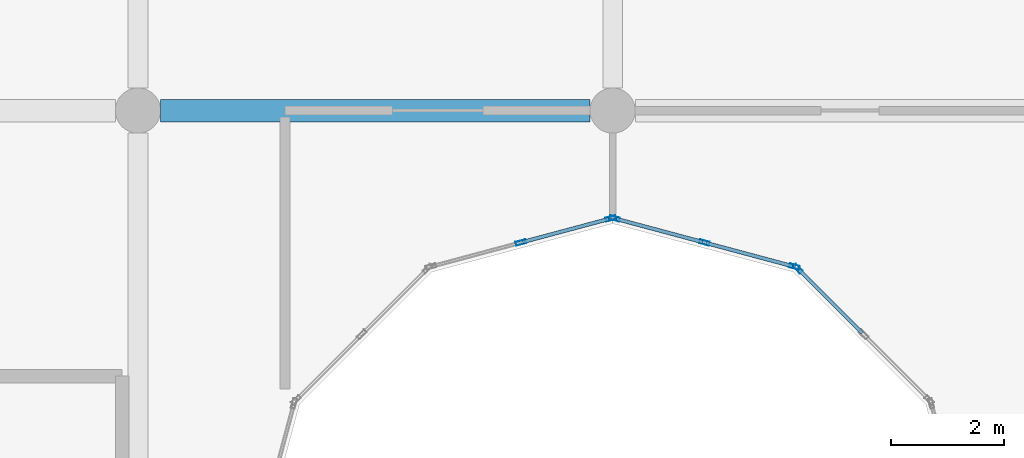
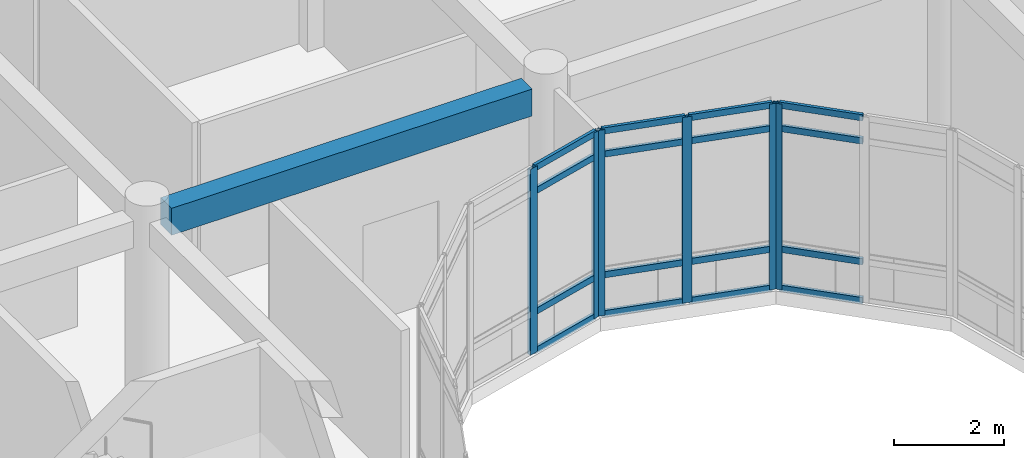
# One storey, part 55 of 144: 22 members, 1 beam, 3 elements without a shape of their own.
"""IFC4 building model written with IfcOpenShell, lengths in metres."""

from ifc_helpers import new_model, si_unit, direction, frame, origin, origin_2d, place, context, subcontext, project, spatial, rectangle, hollow_rectangle, extrude, material, layer, layer_set, material_profile, profile_set, type_object, element, aggregate, save


model = new_model("IFC4")

# Units and contexts
model_context = context("Model", 3, precision=1e-05, world=origin(), true_north=direction((0.0, 1.0)))
body_context = subcontext(model_context, "Body", "Model", "MODEL_VIEW")
ifc_project = project(units=[si_unit("LENGTHUNIT", "METRE"), si_unit("AREAUNIT", "SQUARE_METRE"), si_unit("VOLUMEUNIT", "CUBIC_METRE"), si_unit("PLANEANGLEUNIT", "RADIAN"), si_unit("MASSUNIT", "GRAM", prefix="KILO")], contexts=[model_context])

# Site, building, storey
site_placement = place(None, origin())
site = spatial("IfcSite", under=ifc_project, at=site_placement, CompositionType="ELEMENT")
building_placement = place(site_placement, origin())
building = spatial("IfcBuilding", under=site, at=building_placement, Name="Bramfleet General Hospital", CompositionType="ELEMENT")
storey_placement = place(building_placement, frame((0.0, 0.0, 4.800048828125)))
storey = spatial("IfcBuildingStorey", under=building, at=storey_placement, Name="L01", CompositionType="ELEMENT", Elevation=4.800048828125)

# Beam
ifc_material_1 = material(Name="Concrete C35/45", Category="concrete")
ifc_material_profile_1 = material_profile(ifc_material_1, rectangle(XDim=0.39990234375, YDim=0.60009765625, at=origin_2d()), Name="RC BM 600x400")
ifc_profile_set_1 = profile_set([ifc_material_profile_1], Name="Concrete C35/45")
beam_type = type_object("IfcBeamType", Name="BM-RC600", PredefinedType="BEAM", material=ifc_profile_set_1)
beam_placement = place(storey_placement, frame((109.60009765625, 75.60009765625, 3.849853515625), z_axis=(1.0, 0.0, 0.0), x_axis=(0.0, 1.0, 0.0)))
element("IfcBeam", 1, at=beam_placement, inside=storey, type_object=beam_type, Name="L01 Grid Beam X 13-09", PredefinedType="BEAM", context=body_context, shape_type="SweptSolid", body=[
    extrude(rectangle(XDim=0.39990234375, YDim=0.60009765625, at=origin_2d()), origin(), (0.0, 0.0, 1.0), 7.599853515625),
])

# Curtain wall, member
ifc_material_2 = material(Name="Anodised aluminium and low-E triple glazing", Category="aluminium")
ifc_layer_1 = layer(ifc_material_2, 0.179931640625, Name="CWT-CW-16")
ifc_layer_set_1 = layer_set([ifc_layer_1], Name="Anodised aluminium and low-E triple glazing")
curtain_wall_type_1 = type_object("IfcCurtainWallType", Name="CWT-CW-16", PredefinedType="USERDEFINED", material=ifc_layer_set_1)
curtain_wall_1_placement = place(storey_placement, origin())
curtain_wall_1 = element("IfcCurtainWall", 2, at=curtain_wall_1_placement, inside=storey, type_object=curtain_wall_type_1, Name="L01 East Laboratory Light Court Curtain Wall 8.1", ObjectType="Stick curtain wall", PredefinedType="USERDEFINED")
ifc_material_3 = material(Name="Anodised aluminium EN AW-6060", Category="aluminium")
ifc_material_profile_2 = material_profile(ifc_material_3, hollow_rectangle(XDim=0.070068359375, YDim=0.179931640625, WallThickness=0.00390625, at=origin_2d()), Name="ALU 180x70x4.0")
ifc_profile_set_2 = profile_set([ifc_material_profile_2], Name="Anodised aluminium EN AW-6060")
member_type_1 = type_object("IfcMemberType", Name="CWM-ALU180", PredefinedType="MULLION", material=ifc_profile_set_2)
member_1_placement = place(storey_placement, frame((120.874755859375, 72.80419921875, 0.0), z_axis=(0.0, 0.0, 1.0), x_axis=(-0.707106781187, -0.707106781187, 0.0)))
member_1 = element("IfcMember", 3, at=member_1_placement, type_object=member_type_1, Name="CW-16 mullion 3", PredefinedType="MULLION", context=body_context, shape_type="SweptSolid", body=[
    extrude(hollow_rectangle(XDim=0.070068359375, YDim=0.179931640625, WallThickness=0.00390625, at=origin_2d()), origin(), (0.0, 0.0, 1.0), 4.139892578125),
])

# Curtain wall, members
ifc_layer_2 = layer(ifc_material_2, 0.179931640625, Name="CWT-CW-17")
ifc_layer_set_2 = layer_set([ifc_layer_2], Name="Anodised aluminium and low-E triple glazing")
curtain_wall_type_2 = type_object("IfcCurtainWallType", Name="CWT-CW-17", PredefinedType="USERDEFINED", material=ifc_layer_set_2)
curtain_wall_2_placement = place(storey_placement, origin())
curtain_wall_2 = element("IfcCurtainWall", 4, at=curtain_wall_2_placement, inside=storey, type_object=curtain_wall_type_2, Name="L01 East Laboratory Light Court Curtain Wall 9.1", ObjectType="Stick curtain wall", PredefinedType="USERDEFINED")
member_2_placement = place(storey_placement, frame((120.816162109375, 72.838134765625, 0.0), z_axis=(0.0, 0.0, 1.0), x_axis=(-0.258864833085, -0.965913556273, 0.0)))
member_2 = element("IfcMember", 5, at=member_2_placement, type_object=member_type_1, Name="CW-17 mullion 1", PredefinedType="MULLION", context=body_context, shape_type="SweptSolid", body=[
    extrude(hollow_rectangle(XDim=0.070068359375, YDim=0.179931640625, WallThickness=0.00390625, at=origin_2d()), origin(), (0.0, 0.0, 1.0), 4.139892578125),
])
member_3_placement = place(storey_placement, frame((119.22509765625, 73.264404296875, 0.0), z_axis=(0.0, 0.0, 1.0), x_axis=(-0.258864833085, -0.965913556273, 0.0)))
member_3 = element("IfcMember", 6, at=member_3_placement, type_object=member_type_1, Name="CW-17 mullion 2", PredefinedType="MULLION", context=body_context, shape_type="SweptSolid", body=[
    extrude(hollow_rectangle(XDim=0.070068359375, YDim=0.179931640625, WallThickness=0.00390625, at=origin_2d()), origin(), (0.0, 0.0, 1.0), 4.139892578125),
])
member_4_placement = place(storey_placement, frame((117.6337890625, 73.69091796875, 0.0), z_axis=(0.0, 0.0, 1.0), x_axis=(-0.258864833085, -0.965913556273, 0.0)))
member_4 = element("IfcMember", 7, at=member_4_placement, type_object=member_type_1, Name="CW-17 mullion 3", PredefinedType="MULLION", context=body_context, shape_type="SweptSolid", body=[
    extrude(hollow_rectangle(XDim=0.070068359375, YDim=0.179931640625, WallThickness=0.00390625, at=origin_2d()), origin(), (0.0, 0.0, 1.0), 4.139892578125),
])

ifc_layer_3 = layer(ifc_material_2, 0.179931640625, Name="CWT-CW-18")
ifc_layer_set_3 = layer_set([ifc_layer_3], Name="Anodised aluminium and low-E triple glazing")
curtain_wall_type_3 = type_object("IfcCurtainWallType", Name="CWT-CW-18", PredefinedType="USERDEFINED", material=ifc_layer_set_3)
curtain_wall_3_placement = place(storey_placement, origin())
curtain_wall_3 = element("IfcCurtainWall", 8, at=curtain_wall_3_placement, inside=storey, type_object=curtain_wall_type_3, Name="L01 East Laboratory Light Court Curtain Wall 10.1", ObjectType="Stick curtain wall", PredefinedType="USERDEFINED")
member_5_placement = place(storey_placement, frame((117.566162109375, 73.69091796875, 0.0), z_axis=(0.0, 0.0, 1.0), x_axis=(0.258864833085, -0.965913556273, 0.0)))
member_5 = element("IfcMember", 9, at=member_5_placement, type_object=member_type_1, Name="CW-18 mullion 1", PredefinedType="MULLION", context=body_context, shape_type="SweptSolid", body=[
    extrude(hollow_rectangle(XDim=0.070068359375, YDim=0.179931640625, WallThickness=0.00390625, at=origin_2d()), origin(), (0.0, 0.0, 1.0), 4.139892578125),
])
member_6_placement = place(storey_placement, frame((115.97509765625, 73.264404296875, 0.0), z_axis=(0.0, 0.0, 1.0), x_axis=(0.258864833085, -0.965913556273, 0.0)))
member_6 = element("IfcMember", 10, at=member_6_placement, type_object=member_type_1, Name="CW-18 mullion 2", PredefinedType="MULLION", context=body_context, shape_type="SweptSolid", body=[
    extrude(hollow_rectangle(XDim=0.070068359375, YDim=0.179931640625, WallThickness=0.00390625, at=origin_2d()), origin(), (0.0, 0.0, 1.0), 4.139892578125),
])

# Member
ifc_material_profile_3 = material_profile(ifc_material_3, hollow_rectangle(XDim=0.06494140625, YDim=0.139892578125, WallThickness=0.00390625, at=origin_2d()), Name="ALU 140x65x4.0")
ifc_profile_set_3 = profile_set([ifc_material_profile_3], Name="Anodised aluminium EN AW-6060")
member_type_2 = type_object("IfcMemberType", Name="CWT-ALU140", PredefinedType="USERDEFINED", material=ifc_profile_set_3)
member_7_placement = place(storey_placement, frame((122.0146484375, 71.664306640625, 0.032470703125), z_axis=(-0.707106781187, 0.707106781187, 0.0), x_axis=(-0.707106781187, -0.707106781187, 0.0)))
member_7 = element("IfcMember", 11, at=member_7_placement, type_object=member_type_2, Name="CW-16 transom 2.1", ObjectType="TRANSOM", PredefinedType="USERDEFINED", context=body_context, shape_type="SweptSolid", body=[
    extrude(hollow_rectangle(XDim=0.06494140625, YDim=0.139892578125, WallThickness=0.00390625, at=origin_2d()), origin(), (0.0, 0.0, 1.0), 1.5771484375),
])

member_8_placement = place(storey_placement, frame((122.0146484375, 71.664306640625, 0.89990234375), z_axis=(-0.707106781187, 0.707106781187, 0.0), x_axis=(-0.707106781187, -0.707106781187, 0.0)))
member_8 = element("IfcMember", 12, at=member_8_placement, type_object=member_type_2, Name="CW-16 transom 2.2", ObjectType="TRANSOM", PredefinedType="USERDEFINED", context=body_context, shape_type="SweptSolid", body=[
    extrude(hollow_rectangle(XDim=0.06494140625, YDim=0.139892578125, WallThickness=0.00390625, at=origin_2d()), origin(), (0.0, 0.0, 1.0), 1.5771484375),
])

member_9_placement = place(storey_placement, frame((122.0146484375, 71.664306640625, 3.58984375), z_axis=(-0.707106781187, 0.707106781187, 0.0), x_axis=(-0.707106781187, -0.707106781187, 0.0)))
member_9 = element("IfcMember", 13, at=member_9_placement, type_object=member_type_2, Name="CW-16 transom 2.3", ObjectType="TRANSOM", PredefinedType="USERDEFINED", context=body_context, shape_type="SweptSolid", body=[
    extrude(hollow_rectangle(XDim=0.06494140625, YDim=0.139892578125, WallThickness=0.00390625, at=origin_2d()), origin(), (0.0, 0.0, 1.0), 1.5771484375),
])

member_10_placement = place(storey_placement, frame((122.0146484375, 71.664306640625, 4.107421875), z_axis=(-0.707106781187, 0.707106781187, 0.0), x_axis=(-0.707106781187, -0.707106781187, 0.0)))
member_10 = element("IfcMember", 14, at=member_10_placement, type_object=member_type_2, Name="CW-16 transom 2.4", ObjectType="TRANSOM", PredefinedType="USERDEFINED", context=body_context, shape_type="SweptSolid", body=[
    extrude(hollow_rectangle(XDim=0.06494140625, YDim=0.139892578125, WallThickness=0.00390625, at=origin_2d()), origin(), (0.0, 0.0, 1.0), 1.5771484375),
])

aggregate(curtain_wall_1, [member_1, member_7, member_8, member_9, member_10])

member_11_placement = place(storey_placement, frame((120.782470703125, 72.84716796875, 0.032470703125), z_axis=(-0.965936307862, 0.25877992417, 0.0), x_axis=(-0.25877992417, -0.965936307862, 0.0)))
member_11 = element("IfcMember", 15, at=member_11_placement, type_object=member_type_2, Name="CW-17 transom 1.1", ObjectType="TRANSOM", PredefinedType="USERDEFINED", context=body_context, shape_type="SweptSolid", body=[
    extrude(hollow_rectangle(XDim=0.06494140625, YDim=0.139892578125, WallThickness=0.00390625, at=origin_2d()), origin(), (0.0, 0.0, 1.0), 1.577392578125),
])

member_12_placement = place(storey_placement, frame((120.782470703125, 72.84716796875, 0.89990234375), z_axis=(-0.965936307862, 0.25877992417, 0.0), x_axis=(-0.25877992417, -0.965936307862, 0.0)))
member_12 = element("IfcMember", 16, at=member_12_placement, type_object=member_type_2, Name="CW-17 transom 1.2", ObjectType="TRANSOM", PredefinedType="USERDEFINED", context=body_context, shape_type="SweptSolid", body=[
    extrude(hollow_rectangle(XDim=0.06494140625, YDim=0.139892578125, WallThickness=0.00390625, at=origin_2d()), origin(), (0.0, 0.0, 1.0), 1.577392578125),
])

member_13_placement = place(storey_placement, frame((120.782470703125, 72.84716796875, 3.58984375), z_axis=(-0.965936307862, 0.25877992417, 0.0), x_axis=(-0.25877992417, -0.965936307862, 0.0)))
member_13 = element("IfcMember", 17, at=member_13_placement, type_object=member_type_2, Name="CW-17 transom 1.3", ObjectType="TRANSOM", PredefinedType="USERDEFINED", context=body_context, shape_type="SweptSolid", body=[
    extrude(hollow_rectangle(XDim=0.06494140625, YDim=0.139892578125, WallThickness=0.00390625, at=origin_2d()), origin(), (0.0, 0.0, 1.0), 1.577392578125),
])

member_14_placement = place(storey_placement, frame((120.782470703125, 72.84716796875, 4.107421875), z_axis=(-0.965936307862, 0.25877992417, 0.0), x_axis=(-0.25877992417, -0.965936307862, 0.0)))
member_14 = element("IfcMember", 18, at=member_14_placement, type_object=member_type_2, Name="CW-17 transom 1.4", ObjectType="TRANSOM", PredefinedType="USERDEFINED", context=body_context, shape_type="SweptSolid", body=[
    extrude(hollow_rectangle(XDim=0.06494140625, YDim=0.139892578125, WallThickness=0.00390625, at=origin_2d()), origin(), (0.0, 0.0, 1.0), 1.577392578125),
])

member_15_placement = place(storey_placement, frame((119.191162109375, 73.273681640625, 0.032470703125), z_axis=(-0.965925940868, 0.258818617489, 0.0), x_axis=(-0.258818617489, -0.965925940868, 0.0)))
member_15 = element("IfcMember", 19, at=member_15_placement, type_object=member_type_2, Name="CW-17 transom 2.1", ObjectType="TRANSOM", PredefinedType="USERDEFINED", context=body_context, shape_type="SweptSolid", body=[
    extrude(hollow_rectangle(XDim=0.06494140625, YDim=0.139892578125, WallThickness=0.00390625, at=origin_2d()), origin(), (0.0, 0.0, 1.0), 1.5771484375),
])

member_16_placement = place(storey_placement, frame((119.191162109375, 73.273681640625, 0.89990234375), z_axis=(-0.965925940868, 0.258818617489, 0.0), x_axis=(-0.258818617489, -0.965925940868, 0.0)))
member_16 = element("IfcMember", 20, at=member_16_placement, type_object=member_type_2, Name="CW-17 transom 2.2", ObjectType="TRANSOM", PredefinedType="USERDEFINED", context=body_context, shape_type="SweptSolid", body=[
    extrude(hollow_rectangle(XDim=0.06494140625, YDim=0.139892578125, WallThickness=0.00390625, at=origin_2d()), origin(), (0.0, 0.0, 1.0), 1.5771484375),
])

member_17_placement = place(storey_placement, frame((119.191162109375, 73.273681640625, 3.58984375), z_axis=(-0.965925940868, 0.258818617489, 0.0), x_axis=(-0.258818617489, -0.965925940868, 0.0)))
member_17 = element("IfcMember", 21, at=member_17_placement, type_object=member_type_2, Name="CW-17 transom 2.3", ObjectType="TRANSOM", PredefinedType="USERDEFINED", context=body_context, shape_type="SweptSolid", body=[
    extrude(hollow_rectangle(XDim=0.06494140625, YDim=0.139892578125, WallThickness=0.00390625, at=origin_2d()), origin(), (0.0, 0.0, 1.0), 1.5771484375),
])

member_18_placement = place(storey_placement, frame((119.191162109375, 73.273681640625, 4.107421875), z_axis=(-0.965925940868, 0.258818617489, 0.0), x_axis=(-0.258818617489, -0.965925940868, 0.0)))
member_18 = element("IfcMember", 22, at=member_18_placement, type_object=member_type_2, Name="CW-17 transom 2.4", ObjectType="TRANSOM", PredefinedType="USERDEFINED", context=body_context, shape_type="SweptSolid", body=[
    extrude(hollow_rectangle(XDim=0.06494140625, YDim=0.139892578125, WallThickness=0.00390625, at=origin_2d()), origin(), (0.0, 0.0, 1.0), 1.5771484375),
])

aggregate(curtain_wall_2, [member_2, member_3, member_4, member_11, member_12, member_13, member_14, member_15, member_16, member_17, member_18])

member_19_placement = place(storey_placement, frame((117.532470703125, 73.681884765625, 0.032470703125), z_axis=(-0.965936307862, -0.25877992417, 0.0), x_axis=(0.25877992417, -0.965936307862, 0.0)))
member_19 = element("IfcMember", 23, at=member_19_placement, type_object=member_type_2, Name="CW-18 transom 1.1", ObjectType="TRANSOM", PredefinedType="USERDEFINED", context=body_context, shape_type="SweptSolid", body=[
    extrude(hollow_rectangle(XDim=0.06494140625, YDim=0.139892578125, WallThickness=0.00390625, at=origin_2d()), origin(), (0.0, 0.0, 1.0), 1.577392578125),
])

member_20_placement = place(storey_placement, frame((117.532470703125, 73.681884765625, 0.89990234375), z_axis=(-0.965936307862, -0.25877992417, 0.0), x_axis=(0.25877992417, -0.965936307862, 0.0)))
member_20 = element("IfcMember", 24, at=member_20_placement, type_object=member_type_2, Name="CW-18 transom 1.2", ObjectType="TRANSOM", PredefinedType="USERDEFINED", context=body_context, shape_type="SweptSolid", body=[
    extrude(hollow_rectangle(XDim=0.06494140625, YDim=0.139892578125, WallThickness=0.00390625, at=origin_2d()), origin(), (0.0, 0.0, 1.0), 1.577392578125),
])

member_21_placement = place(storey_placement, frame((117.532470703125, 73.681884765625, 3.58984375), z_axis=(-0.965936307862, -0.25877992417, 0.0), x_axis=(0.25877992417, -0.965936307862, 0.0)))
member_21 = element("IfcMember", 25, at=member_21_placement, type_object=member_type_2, Name="CW-18 transom 1.3", ObjectType="TRANSOM", PredefinedType="USERDEFINED", context=body_context, shape_type="SweptSolid", body=[
    extrude(hollow_rectangle(XDim=0.06494140625, YDim=0.139892578125, WallThickness=0.00390625, at=origin_2d()), origin(), (0.0, 0.0, 1.0), 1.577392578125),
])

member_22_placement = place(storey_placement, frame((117.532470703125, 73.681884765625, 4.107421875), z_axis=(-0.965936307862, -0.25877992417, 0.0), x_axis=(0.25877992417, -0.965936307862, 0.0)))
member_22 = element("IfcMember", 26, at=member_22_placement, type_object=member_type_2, Name="CW-18 transom 1.4", ObjectType="TRANSOM", PredefinedType="USERDEFINED", context=body_context, shape_type="SweptSolid", body=[
    extrude(hollow_rectangle(XDim=0.06494140625, YDim=0.139892578125, WallThickness=0.00390625, at=origin_2d()), origin(), (0.0, 0.0, 1.0), 1.577392578125),
])

aggregate(curtain_wall_3, [member_5, member_6, member_19, member_20, member_21, member_22])

save(model, "model.ifc")
